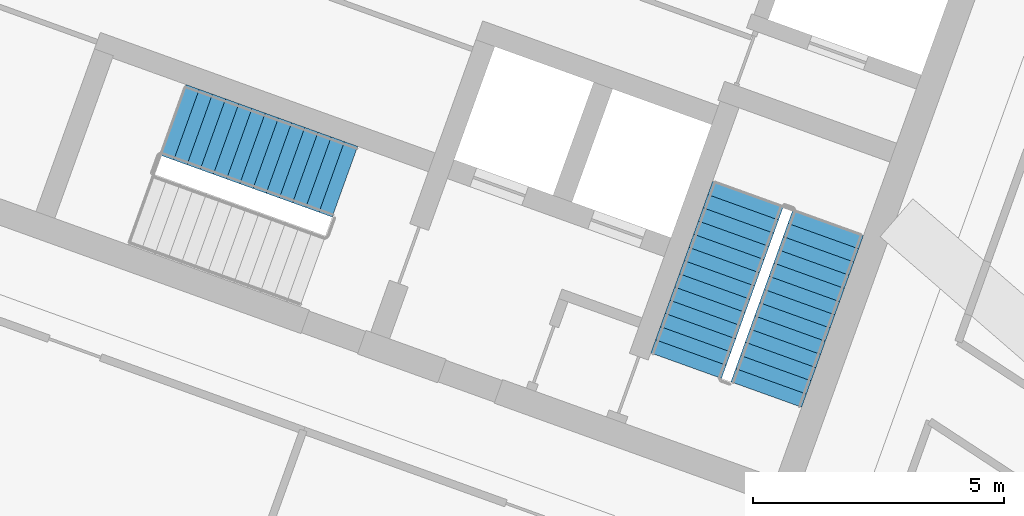
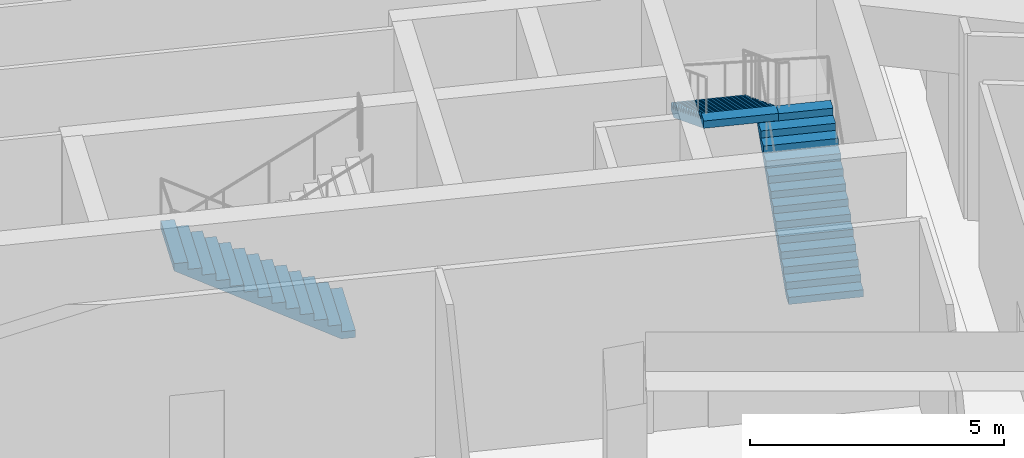
# One storey, part 16 of 17: 3 stair flights, 2 elements without a shape of their own.
"""IFC4 building model written with IfcOpenShell, lengths in metres."""

import ifcopenshell
import ifcopenshell.guid

model = None  # the IFC model being written
_history = None  # IfcOwnerHistory: only IFC2X3 demands one
_inside = {}  # id of a spatial element -> (the spatial element, [elements in it])
_under = {}  # id of a project, library or spatial element -> (it, [spatial elements below it])
_declared = {}  # id of a project -> (the project, [libraries it declares])
_typed = {}  # id of a type object -> (the type object, [elements of that type])
_made_of = {}  # id of a material, layer set ... -> (it, [elements and type objects made of it])


def new_model(schema):
    """Start an empty IFC model of exactly this schema.

    Asked for "IFC4X3", IfcOpenShell would pick the latest addendum, in which some entities
    have other attributes; the version numbers below select the first issue.
    IFC2X3 requires an IfcOwnerHistory on every rooted entity: one is made here for all.
    """
    global model, _history
    if schema == "IFC4X3":
        model = ifcopenshell.file(schema_version=(4, 3, 0, 0))
    else:
        model = ifcopenshell.file(schema=schema)
    _inside.clear()
    _under.clear()
    _declared.clear()
    _typed.clear()
    _made_of.clear()
    _history = None
    if model.schema == "IFC2X3":
        org = make("IfcOrganization", Name="unknown")
        user = make(
            "IfcPersonAndOrganization",
            ThePerson=make("IfcPerson", FamilyName="unknown"),
            TheOrganization=org,
        )
        app = make(
            "IfcApplication",
            ApplicationDeveloper=org,
            Version="unknown",
            ApplicationFullName="unknown",
            ApplicationIdentifier="unknown",
        )
        _history = make(
            "IfcOwnerHistory",
            OwningUser=user,
            OwningApplication=app,
            ChangeAction="ADDED",
            CreationDate=0,
        )
    return model


def make(cls, **values):
    """One entity of the class cls with the attributes given. An attribute that is None is left unset."""
    return model.create_entity(
        cls, **{name: value for name, value in values.items() if value is not None}
    )


def rooted(cls, **values):
    """An entity with a GlobalId (a new one), such as an element, a storey or a relation."""
    return make(cls, GlobalId=ifcopenshell.guid.new(), OwnerHistory=_history, **values)


def si_unit(unit_type, name, prefix=None):
    """IfcSIUnit, for example si_unit("LENGTHUNIT", "METRE", prefix="MILLI")."""
    return make("IfcSIUnit", UnitType=unit_type, Prefix=prefix, Name=name)


def assignment(units):
    """IfcUnitAssignment: the units of a project."""
    return None if units is None else make("IfcUnitAssignment", Units=units)


def point(xyz):
    """IfcCartesianPoint."""
    return None if xyz is None else make("IfcCartesianPoint", Coordinates=xyz)


def direction(xyz):
    """IfcDirection."""
    return None if xyz is None else make("IfcDirection", DirectionRatios=xyz)


def frame(location, z_axis=None, x_axis=None):
    """IfcAxis2Placement3D, a coordinate frame: its origin and axes. An axis left out is left unset."""
    return make(
        "IfcAxis2Placement3D",
        Location=point(location),
        Axis=direction(z_axis),
        RefDirection=direction(x_axis),
    )


def origin():
    """The frame at (0, 0, 0) with its axes left unset."""
    return frame((0.0, 0.0, 0.0))


def place(relative_to, where):
    """IfcLocalPlacement: puts the frame where relative to a parent placement (None: the world)."""
    return make(
        "IfcLocalPlacement", PlacementRelTo=relative_to, RelativePlacement=where
    )


def context(
    kind, dimensions, precision=None, world=None, true_north=None, identifier=None
):
    """IfcGeometricRepresentationContext, for example the 3D "Model" context."""
    return make(
        "IfcGeometricRepresentationContext",
        ContextIdentifier=identifier,
        ContextType=kind,
        CoordinateSpaceDimension=dimensions,
        Precision=precision,
        WorldCoordinateSystem=world,
        TrueNorth=true_north,
    )


def subcontext(parent, identifier, kind, view, scale=None):
    """IfcGeometricRepresentationSubContext, for example "Body" below "Model"."""
    return make(
        "IfcGeometricRepresentationSubContext",
        ContextIdentifier=identifier,
        ContextType=kind,
        ParentContext=parent,
        TargetScale=scale,
        TargetView=view,
    )


def project(units=None, contexts=None):
    """IfcProject with its units and contexts."""
    return rooted(
        "IfcProject",
        Name="project",
        RepresentationContexts=contexts,
        UnitsInContext=assignment(units),
    )


def spatial(cls, under=None, at=None, **own):
    """A site, building, storey or space (cls), placed at a placement, below another one or the project."""
    s = rooted(cls, ObjectPlacement=at, **own)
    if under is not None:
        _under.setdefault(under.id(), (under, []))[1].append(s)
    return s


def polyline(points):
    """IfcPolyline through the points."""
    return make("IfcPolyline", Points=[point(p) for p in points])


def outline(outer, holes=None, kind="AREA"):
    """IfcArbitraryClosedProfileDef: a profile drawn as a closed curve; with holes, ...WithVoids."""
    if holes is None:
        return make("IfcArbitraryClosedProfileDef", ProfileType=kind, OuterCurve=outer)
    return make(
        "IfcArbitraryProfileDefWithVoids",
        ProfileType=kind,
        OuterCurve=outer,
        InnerCurves=holes,
    )


def extrude(swept, where, along, depth):
    """IfcExtrudedAreaSolid: the profile swept, set in the frame where, extruded along a direction by depth."""
    return make(
        "IfcExtrudedAreaSolid",
        SweptArea=swept,
        Position=where,
        ExtrudedDirection=direction(along),
        Depth=depth,
    )


def shape(context_of_items, identifier, shape_type, items):
    """IfcShapeRepresentation: the items that make up one representation, for example the "Body"."""
    return make(
        "IfcShapeRepresentation",
        ContextOfItems=context_of_items,
        RepresentationIdentifier=identifier,
        RepresentationType=shape_type,
        Items=items,
    )


def material(Name=None, Category=None):
    """IfcMaterial."""
    return make("IfcMaterial", Name=Name, Category=Category)


def made_of(thing, what):
    """Note that an element or type object is made of a material, layer set ...; save() writes the relation."""
    if what is not None:
        _made_of.setdefault(what.id(), (what, []))[1].append(thing)
    return thing


def type_object(cls, material=None, **own):
    """A type object (cls), such as IfcWallType, which elements share."""
    return made_of(rooted(cls, **own), material)


def element(
    cls,
    number,
    at=None,
    inside=None,
    cuts=None,
    type_object=None,
    material=None,
    context=None,
    identifier="Body",
    shape_type=None,
    held_by="IfcProductDefinitionShape",
    body=None,
    shapes=None,
    **own,
):
    """One element of the class cls, such as IfcWall. Its Tag is "e" and its number.

    at: its placement. inside: the storey or other place that contains it. cuts: it is an
    opening in that element (IfcRelVoidsElement). A single representation is given by context,
    identifier, shape_type and body (its items); several are given by shapes. held_by: the class
    of the entity that holds the representations. save() writes the other relations.
    """
    e = rooted(cls, Tag="e%d" % number, ObjectPlacement=at, **own)
    if body is not None:
        shapes = [shape(context, identifier, shape_type, body)]
    if shapes is not None:
        e.Representation = make(held_by, Representations=shapes)
    if inside is not None:
        _inside.setdefault(inside.id(), (inside, []))[1].append(e)
    if cuts is not None:
        rooted(
            "IfcRelVoidsElement", RelatingBuildingElement=cuts, RelatedOpeningElement=e
        )
    if type_object is not None:
        _typed.setdefault(type_object.id(), (type_object, []))[1].append(e)
    return made_of(e, material)


def aggregate(whole, parts):
    """IfcRelAggregates: a whole, such as a stair, and the parts it consists of."""
    return rooted("IfcRelAggregates", RelatingObject=whole, RelatedObjects=parts)


def save(model, path):
    """Write the relations noted so far, then the file.

    IfcRelAggregates (storeys below a building ...), IfcRelContainedInSpatialStructure (elements
    in a storey), IfcRelDefinesByType, IfcRelAssociatesMaterial and IfcRelDeclares: one each for
    every whole, place, type object, material and project.
    """
    for whole, parts in _under.values():
        aggregate(whole, parts)
    for where, things in _inside.values():
        rooted(
            "IfcRelContainedInSpatialStructure",
            RelatedElements=things,
            RelatingStructure=where,
        )
    for kind, things in _typed.values():
        rooted("IfcRelDefinesByType", RelatedObjects=things, RelatingType=kind)
    for what, things in _made_of.values():
        rooted("IfcRelAssociatesMaterial", RelatedObjects=things, RelatingMaterial=what)
    for by, libraries in _declared.values():
        rooted("IfcRelDeclares", RelatingContext=by, RelatedDefinitions=libraries)
    model.write(path)


model = new_model("IFC4")

# Units and contexts
model_context = context("Model", 3, precision=1e-05, world=origin(), true_north=direction((0.0, 1.0)))
body_context = subcontext(model_context, "Body", "Model", "MODEL_VIEW")
ifc_project = project(units=[si_unit("LENGTHUNIT", "METRE"), si_unit("AREAUNIT", "SQUARE_METRE"), si_unit("VOLUMEUNIT", "CUBIC_METRE"), si_unit("PLANEANGLEUNIT", "RADIAN"), si_unit("MASSUNIT", "GRAM", prefix="KILO")], contexts=[model_context])

# Site, building, storey
site_placement = place(None, origin())
site = spatial("IfcSite", under=ifc_project, at=site_placement, CompositionType="ELEMENT")
building_placement = place(site_placement, origin())
building = spatial("IfcBuilding", under=site, at=building_placement, Name="Stone Belt Terrace Tower", CompositionType="ELEMENT")
storey_placement = place(building_placement, frame((0.0, 0.0, 318.199951171875)))
storey = spatial("IfcBuildingStorey", under=building, at=storey_placement, Name="L77", CompositionType="ELEMENT", Elevation=318.199951171875)

# Stair, stair flights
ifc_material = material(Name="Concrete B40", Category="concrete")
stair_type = type_object("IfcStairType", Name="Exit stair 1500", PredefinedType="HALF_TURN_STAIR", material=ifc_material)
stair_1_placement = place(storey_placement, origin())
stair_1 = element("IfcStair", 1, at=stair_1_placement, inside=storey, type_object=stair_type, Name="L77 Exit stair 1 core B", PredefinedType="HALF_TURN_STAIR")
stair_flight_type = type_object("IfcStairFlightType", Name="Stair flight 1500", PredefinedType="STRAIGHT", material=ifc_material)
stair_flight_1_placement = place(storey_placement, frame((25.15283203125, 44.9375, 0.0), z_axis=(0.0, 0.0, 1.0), x_axis=(0.338624396177, 0.940921632398, 0.0)))
stair_flight_1 = element("IfcStairFlight", 2, at=stair_flight_1_placement, type_object=stair_flight_type, Name="ST1B flight 1", NumberOfRisers=14, NumberOfTreads=13, PredefinedType="STRAIGHT", RiserHeight=0.171428571, TreadLength=0.28, context=body_context, shape_type="SweptSolid", body=[
    extrude(outline(polyline([(0.0, 0.0), (0.0, 0.17138671875), (0.280029296875, 0.17138671875), (0.280029296875, 0.3427734375), (0.56005859375, 0.3427734375), (0.56005859375, 0.514404296875), (0.840087890625, 0.514404296875), (0.840087890625, 0.685791015625), (1.1201171875, 0.685791015625), (1.1201171875, 0.857177734375), (1.39990234375, 0.857177734375), (1.39990234375, 1.028564453125), (1.679931640625, 1.028564453125), (1.679931640625, 1.199951171875), (1.9599609375, 1.199951171875), (1.9599609375, 1.371337890625), (2.239990234375, 1.371337890625), (2.239990234375, 1.54296875), (2.52001953125, 1.54296875), (2.52001953125, 1.71435546875), (2.800048828125, 1.71435546875), (2.800048828125, 1.8857421875), (3.080078125, 1.8857421875), (3.080078125, 2.05712890625), (3.360107421875, 2.05712890625), (3.360107421875, 2.228515625), (3.639892578125, 2.228515625), (3.639892578125, 2.39990234375), (3.639892578125, 2.052734375), (0.287109375, 0.0), (0.0, 0.0)])), frame((0.0, 0.75, 0.0), z_axis=(0.0, -1.0, 0.0), x_axis=(1.0, 0.0, 0.0)), (0.0, 0.0, 1.0), 1.5),
])
stair_flight_2_placement = place(storey_placement, frame((24.785888671875, 48.93798828125, 2.400146484375), z_axis=(0.0, 0.0, 1.0), x_axis=(-0.338624396177, -0.940921632398, 0.0)))
stair_flight_2 = element("IfcStairFlight", 3, at=stair_flight_2_placement, type_object=stair_flight_type, Name="ST1B flight 2", NumberOfRisers=14, NumberOfTreads=13, PredefinedType="STRAIGHT", RiserHeight=0.171428571, TreadLength=0.28, context=body_context, shape_type="SweptSolid", body=[
    extrude(outline(polyline([(0.0, 0.0), (0.0, 0.17138671875), (0.280029296875, 0.17138671875), (0.280029296875, 0.3427734375), (0.56005859375, 0.3427734375), (0.56005859375, 0.514404296875), (0.840087890625, 0.514404296875), (0.840087890625, 0.685791015625), (1.1201171875, 0.685791015625), (1.1201171875, 0.857177734375), (1.39990234375, 0.857177734375), (1.39990234375, 1.028564453125), (1.679931640625, 1.028564453125), (1.679931640625, 1.199951171875), (1.9599609375, 1.199951171875), (1.9599609375, 1.371337890625), (2.239990234375, 1.371337890625), (2.239990234375, 1.54296875), (2.52001953125, 1.54296875), (2.52001953125, 1.71435546875), (2.800048828125, 1.71435546875), (2.800048828125, 1.8857421875), (3.080078125, 1.8857421875), (3.080078125, 2.05712890625), (3.360107421875, 2.05712890625), (3.360107421875, 2.228515625), (3.639892578125, 2.228515625), (3.639892578125, 2.39990234375), (3.639892578125, 2.052734375), (0.287109375, 0.0), (0.0, 0.0)])), frame((0.0, 0.75, 0.0), z_axis=(0.0, -1.0, 0.0), x_axis=(1.0, 0.0, 0.0)), (0.0, 0.0, 1.0), 1.5),
])
aggregate(stair_1, [stair_flight_1, stair_flight_2])

# Stair, stair flight
stair_2_placement = place(storey_placement, origin())
stair_2 = element("IfcStair", 4, at=stair_2_placement, inside=storey, type_object=stair_type, Name="L77 Exit stair 2 core B", PredefinedType="HALF_TURN_STAIR")
stair_flight_3_placement = place(storey_placement, frame((16.74462890625, 49.185546875, 0.0), z_axis=(0.0, 0.0, 1.0), x_axis=(-0.940921632398, 0.338624396177, 0.0)))
stair_flight_3 = element("IfcStairFlight", 5, at=stair_flight_3_placement, type_object=stair_flight_type, Name="ST2B flight 1", NumberOfRisers=14, NumberOfTreads=13, PredefinedType="STRAIGHT", RiserHeight=0.171428571, TreadLength=0.28, context=body_context, shape_type="SweptSolid", body=[
    extrude(outline(polyline([(0.0, 0.0), (0.0, 0.17138671875), (0.280029296875, 0.17138671875), (0.280029296875, 0.3427734375), (0.56005859375, 0.3427734375), (0.56005859375, 0.514404296875), (0.840087890625, 0.514404296875), (0.840087890625, 0.685791015625), (1.1201171875, 0.685791015625), (1.1201171875, 0.857177734375), (1.39990234375, 0.857177734375), (1.39990234375, 1.028564453125), (1.679931640625, 1.028564453125), (1.679931640625, 1.199951171875), (1.9599609375, 1.199951171875), (1.9599609375, 1.371337890625), (2.239990234375, 1.371337890625), (2.239990234375, 1.54296875), (2.52001953125, 1.54296875), (2.52001953125, 1.71435546875), (2.800048828125, 1.71435546875), (2.800048828125, 1.8857421875), (3.080078125, 1.8857421875), (3.080078125, 2.05712890625), (3.360107421875, 2.05712890625), (3.360107421875, 2.228515625), (3.639892578125, 2.228515625), (3.639892578125, 2.39990234375), (3.639892578125, 2.052734375), (0.287109375, 0.0), (0.0, 0.0)])), frame((0.0, 0.75, 0.0), z_axis=(0.0, -1.0, 0.0), x_axis=(1.0, 0.0, 0.0)), (0.0, 0.0, 1.0), 1.5),
])
aggregate(stair_2, [stair_flight_3])

save(model, "model.ifc")
